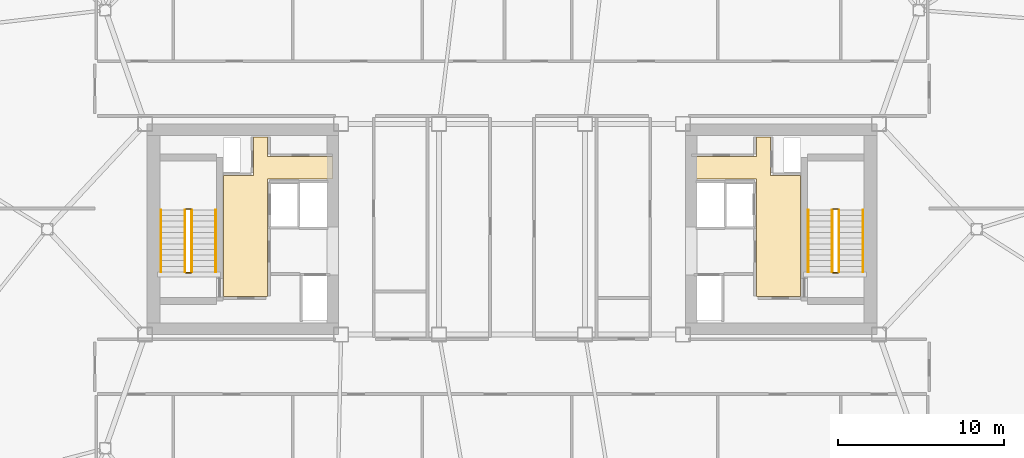
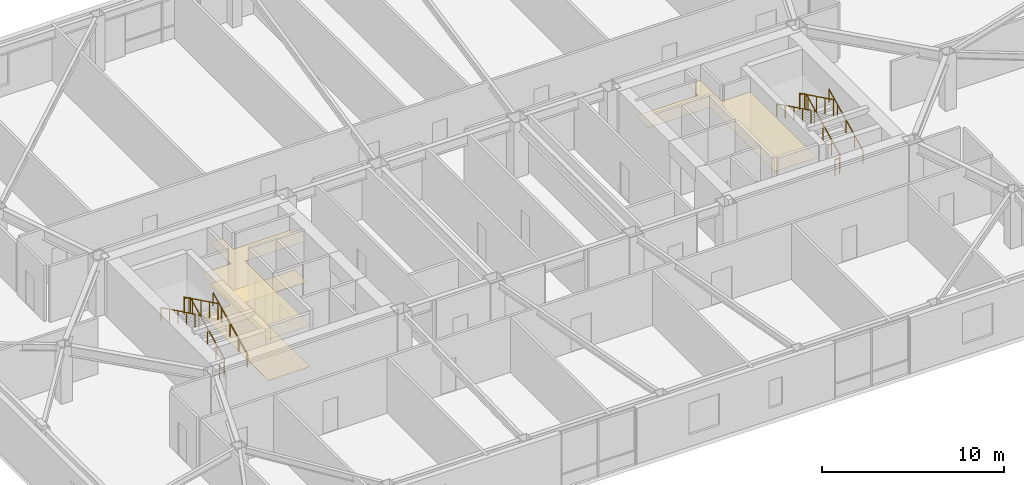
# One storey, part 18 of 18: 12 railings, 3 coverings.
"""IFC4 building model written with IfcOpenShell, lengths in metres."""

from ifc_helpers import new_model, si_unit, direction, frame, origin, origin_2d, place, context, subcontext, project, spatial, polyline, rectangle, outline, extrude, material, layer, layer_set, type_object, element, save


model = new_model("IFC4")

# Units and contexts
model_context = context("Model", 3, precision=1e-05, world=origin(), true_north=direction((0.0, 1.0)))
body_context = subcontext(model_context, "Body", "Model", "MODEL_VIEW")
ifc_project = project(units=[si_unit("LENGTHUNIT", "METRE"), si_unit("AREAUNIT", "SQUARE_METRE"), si_unit("VOLUMEUNIT", "CUBIC_METRE"), si_unit("PLANEANGLEUNIT", "RADIAN"), si_unit("MASSUNIT", "GRAM", prefix="KILO")], contexts=[model_context])

# Site, building, storey
site_placement = place(None, origin())
site = spatial("IfcSite", under=ifc_project, at=site_placement, CompositionType="ELEMENT")
building_placement = place(site_placement, origin())
building = spatial("IfcBuilding", under=site, at=building_placement, Name="Tavrogorsk Clinical Tower", CompositionType="ELEMENT")
storey_placement = place(building_placement, frame((0.0, 0.0, 192.199951171875)))
storey = spatial("IfcBuildingStorey", under=building, at=storey_placement, Name="L44", CompositionType="ELEMENT", Elevation=192.199951171875)

# Coverings
ifc_material_1 = material(Name="Antibacterial micro-perforated aluminium ceiling", Category="aluminium")
ifc_layer_1 = layer(ifc_material_1, 0.014892578125)
ifc_layer_set_1 = layer_set([ifc_layer_1], Name="Antibacterial micro-perforated aluminium ceiling")
covering_type_1 = type_object("IfcCoveringType", Name="ClinicalCeiling_15", PredefinedType="CEILING", material=ifc_layer_set_1)
covering_1_placement = place(storey_placement, frame((0.0, 0.0, 2.75)))
element("IfcCovering", 1, at=covering_1_placement, inside=storey, type_object=covering_type_1, Name="Core West Firefighting Lift Lobby Acoustic Ceiling", PredefinedType="CEILING", context=body_context, shape_type="SweptSolid", body=[
    extrude(outline(polyline([(-14.719970703125, 4.3798828125), (-10.800048828125, 4.3798828125), (-10.800048828125, 3.0400390625), (-14.719970703125, 3.0400390625), (-14.719970703125, -4.06005859375), (-17.3798828125, -4.06005859375), (-17.3798828125, 3.239990234375), (-15.56005859375, 3.239990234375), (-15.56005859375, 5.56005859375), (-14.719970703125, 5.56005859375), (-14.719970703125, 4.3798828125)])), origin(), (0.0, 0.0, 1.0), 0.01513671875),
])
covering_2_placement = place(storey_placement, frame((0.0, 0.0, 2.75)))
element("IfcCovering", 2, at=covering_2_placement, inside=storey, type_object=covering_type_1, Name="Core East Firefighting Lift Lobby Acoustic Ceiling", PredefinedType="CEILING", context=body_context, shape_type="SweptSolid", body=[
    extrude(outline(polyline([(14.719970703125, -4.06005859375), (14.719970703125, 3.0400390625), (10.800048828125, 3.0400390625), (10.800048828125, 4.3798828125), (14.719970703125, 4.3798828125), (14.719970703125, 5.56005859375), (15.56005859375, 5.56005859375), (15.56005859375, 3.239990234375), (17.3798828125, 3.239990234375), (17.3798828125, -4.06005859375), (14.719970703125, -4.06005859375)])), origin(), (0.0, 0.0, 1.0), 0.01513671875),
])
ifc_material_2 = material(Name="Homogeneous medical conductive PVC flooring")
ifc_layer_2 = layer(ifc_material_2, 0.008056640625)
ifc_layer_set_2 = layer_set([ifc_layer_2], Name="Homogeneous medical conductive PVC flooring")
covering_type_2 = type_object("IfcCoveringType", Name="ResilientVinylFloor_8", PredefinedType="FLOORING", material=ifc_layer_set_2)
covering_3_placement = place(storey_placement, origin())
element("IfcCovering", 3, at=covering_3_placement, inside=storey, type_object=covering_type_2, Name="Core West Firefighting Lift Lobby Conductive Vinyl Flooring", PredefinedType="FLOORING", context=body_context, shape_type="SweptSolid", body=[
    extrude(outline(polyline([(-14.719970703125, 4.3798828125), (-10.800048828125, 4.3798828125), (-10.800048828125, 3.0400390625), (-14.719970703125, 3.0400390625), (-14.719970703125, -4.06005859375), (-17.3798828125, -4.06005859375), (-17.3798828125, 3.239990234375), (-15.56005859375, 3.239990234375), (-15.56005859375, 5.56005859375), (-14.719970703125, 5.56005859375), (-14.719970703125, 4.3798828125)])), origin(), (0.0, 0.0, 1.0), 0.008056640625),
])

# Railings
ifc_material_3 = material(Name="Galvanised steel S355 safety stairwell guard", Category="steel")
ifc_layer_3 = layer(ifc_material_3, 0.06005859375)
ifc_layer_set_3 = layer_set([ifc_layer_3], Name="Galvanised steel S355 safety stairwell guard")
railing_type_1 = type_object("IfcRailingType", Name="StairGuard_1150", PredefinedType="GUARDRAIL", material=ifc_layer_set_3)
railing_1_placement = place(storey_placement, frame((-19.300048828125, -2.574951171875, 0.166748046875)))
element("IfcRailing", 4, at=railing_1_placement, inside=storey, type_object=railing_type_1, Name="L44 ST-W stair guard 1", PredefinedType="GUARDRAIL", context=body_context, shape_type="SweptSolid", body=[
    extrude(rectangle(XDim=0.048095703125, YDim=0.048095703125, at=origin_2d()), frame((0.0, 0.0, 1.076171875), z_axis=(0.0, 0.897927990467, 0.440142390523), x_axis=(-1.0, 0.0, 0.0)), (0.0, 0.0, 1.0), 4.1650390625),
    extrude(rectangle(XDim=0.0419921875, YDim=0.0419921875, at=origin_2d()), origin(), (0.0, 0.0, 1.0), 1.052001953125),
    extrude(rectangle(XDim=0.0419921875, YDim=0.0419921875, at=origin_2d()), frame((0.0, 0.93505859375, 0.458251953125)), (0.0, 0.0, 1.0), 1.052001953125),
    extrude(rectangle(XDim=0.0419921875, YDim=0.0419921875, at=origin_2d()), frame((0.0, 1.8701171875, 0.91650390625)), (0.0, 0.0, 1.0), 1.052001953125),
    extrude(rectangle(XDim=0.0419921875, YDim=0.0419921875, at=origin_2d()), frame((0.0, 2.804931640625, 1.375)), (0.0, 0.0, 1.0), 1.052001953125),
    extrude(rectangle(XDim=0.0419921875, YDim=0.0419921875, at=origin_2d()), frame((0.0, 3.739990234375, 1.833251953125)), (0.0, 0.0, 1.0), 1.052001953125),
])
railing_2_placement = place(storey_placement, frame((-19.35009765625, 1.215087890625, 2.0)))
element("IfcRailing", 5, at=railing_2_placement, inside=storey, type_object=railing_type_1, Name="L44 ST-W stair guard 2", PredefinedType="GUARDRAIL", context=body_context, shape_type="SweptSolid", body=[
    extrude(rectangle(XDim=0.048095703125, YDim=0.048095703125, at=origin_2d()), frame((0.0, 0.0, 1.076171875), z_axis=(-1.0, 0.0, 0.0), x_axis=(0.0, -1.0, 0.0)), (0.0, 0.0, 1.0), 0.2998046875),
    extrude(rectangle(XDim=0.0419921875, YDim=0.0419921875, at=origin_2d()), origin(), (0.0, 0.0, 1.0), 1.052001953125),
    extrude(rectangle(XDim=0.0419921875, YDim=0.0419921875, at=origin_2d()), frame((-0.2998046875, 0.0, 0.0)), (0.0, 0.0, 1.0), 1.052001953125),
])
railing_3_placement = place(storey_placement, frame((-19.699951171875, 1.1650390625, 2.166748046875)))
element("IfcRailing", 6, at=railing_3_placement, inside=storey, type_object=railing_type_1, Name="L44 ST-W stair guard 3", PredefinedType="GUARDRAIL", context=body_context, shape_type="SweptSolid", body=[
    extrude(rectangle(XDim=0.048095703125, YDim=0.048095703125, at=origin_2d()), frame((0.0, 0.0, 1.076171875), z_axis=(0.0, -0.897927990467, 0.440142390523), x_axis=(1.0, 0.0, 0.0)), (0.0, 0.0, 1.0), 4.1650390625),
    extrude(rectangle(XDim=0.0419921875, YDim=0.0419921875, at=origin_2d()), origin(), (0.0, 0.0, 1.0), 1.052001953125),
    extrude(rectangle(XDim=0.0419921875, YDim=0.0419921875, at=origin_2d()), frame((0.0, -0.93505859375, 0.458251953125)), (0.0, 0.0, 1.0), 1.052001953125),
    extrude(rectangle(XDim=0.0419921875, YDim=0.0419921875, at=origin_2d()), frame((0.0, -1.8701171875, 0.91650390625)), (0.0, 0.0, 1.0), 1.052001953125),
    extrude(rectangle(XDim=0.0419921875, YDim=0.0419921875, at=origin_2d()), frame((0.0, -2.804931640625, 1.375)), (0.0, 0.0, 1.0), 1.052001953125),
    extrude(rectangle(XDim=0.0419921875, YDim=0.0419921875, at=origin_2d()), frame((0.0, -3.739990234375, 1.833251953125)), (0.0, 0.0, 1.0), 1.052001953125),
])
railing_4_placement = place(storey_placement, frame((-19.35009765625, -2.625, 0.0)))
element("IfcRailing", 7, at=railing_4_placement, inside=storey, type_object=railing_type_1, Name="L44 ST-W stair guard 4", PredefinedType="GUARDRAIL", context=body_context, shape_type="SweptSolid", body=[
    extrude(rectangle(XDim=0.048095703125, YDim=0.048095703125, at=origin_2d()), frame((0.0, 0.0, 1.076171875), z_axis=(-1.0, 0.0, 0.0), x_axis=(0.0, -1.0, 0.0)), (0.0, 0.0, 1.0), 0.2998046875),
    extrude(rectangle(XDim=0.0419921875, YDim=0.0419921875, at=origin_2d()), origin(), (0.0, 0.0, 1.0), 1.052001953125),
    extrude(rectangle(XDim=0.0419921875, YDim=0.0419921875, at=origin_2d()), frame((-0.2998046875, 0.0, 0.0)), (0.0, 0.0, 1.0), 1.052001953125),
])
railing_5_placement = place(storey_placement, frame((19.699951171875, -2.574951171875, 0.166748046875)))
element("IfcRailing", 8, at=railing_5_placement, inside=storey, type_object=railing_type_1, Name="L44 ST-E stair guard 1", PredefinedType="GUARDRAIL", context=body_context, shape_type="SweptSolid", body=[
    extrude(rectangle(XDim=0.048095703125, YDim=0.048095703125, at=origin_2d()), frame((0.0, 0.0, 1.076171875), z_axis=(0.0, 0.897927990467, 0.440142390523), x_axis=(-1.0, 0.0, 0.0)), (0.0, 0.0, 1.0), 4.1650390625),
    extrude(rectangle(XDim=0.0419921875, YDim=0.0419921875, at=origin_2d()), origin(), (0.0, 0.0, 1.0), 1.052001953125),
    extrude(rectangle(XDim=0.0419921875, YDim=0.0419921875, at=origin_2d()), frame((0.0, 0.93505859375, 0.458251953125)), (0.0, 0.0, 1.0), 1.052001953125),
    extrude(rectangle(XDim=0.0419921875, YDim=0.0419921875, at=origin_2d()), frame((0.0, 1.8701171875, 0.91650390625)), (0.0, 0.0, 1.0), 1.052001953125),
    extrude(rectangle(XDim=0.0419921875, YDim=0.0419921875, at=origin_2d()), frame((0.0, 2.804931640625, 1.375)), (0.0, 0.0, 1.0), 1.052001953125),
    extrude(rectangle(XDim=0.0419921875, YDim=0.0419921875, at=origin_2d()), frame((0.0, 3.739990234375, 1.833251953125)), (0.0, 0.0, 1.0), 1.052001953125),
])
railing_6_placement = place(storey_placement, frame((19.64990234375, 1.215087890625, 2.0)))
element("IfcRailing", 9, at=railing_6_placement, inside=storey, type_object=railing_type_1, Name="L44 ST-E stair guard 2", PredefinedType="GUARDRAIL", context=body_context, shape_type="SweptSolid", body=[
    extrude(rectangle(XDim=0.048095703125, YDim=0.048095703125, at=origin_2d()), frame((0.0, 0.0, 1.076171875), z_axis=(-1.0, 0.0, 0.0), x_axis=(0.0, -1.0, 0.0)), (0.0, 0.0, 1.0), 0.2998046875),
    extrude(rectangle(XDim=0.0419921875, YDim=0.0419921875, at=origin_2d()), origin(), (0.0, 0.0, 1.0), 1.052001953125),
    extrude(rectangle(XDim=0.0419921875, YDim=0.0419921875, at=origin_2d()), frame((-0.2998046875, 0.0, 0.0)), (0.0, 0.0, 1.0), 1.052001953125),
])
railing_7_placement = place(storey_placement, frame((19.300048828125, 1.1650390625, 2.166748046875)))
element("IfcRailing", 10, at=railing_7_placement, inside=storey, type_object=railing_type_1, Name="L44 ST-E stair guard 3", PredefinedType="GUARDRAIL", context=body_context, shape_type="SweptSolid", body=[
    extrude(rectangle(XDim=0.048095703125, YDim=0.048095703125, at=origin_2d()), frame((0.0, 0.0, 1.076171875), z_axis=(0.0, -0.897927990467, 0.440142390523), x_axis=(1.0, 0.0, 0.0)), (0.0, 0.0, 1.0), 4.1650390625),
    extrude(rectangle(XDim=0.0419921875, YDim=0.0419921875, at=origin_2d()), origin(), (0.0, 0.0, 1.0), 1.052001953125),
    extrude(rectangle(XDim=0.0419921875, YDim=0.0419921875, at=origin_2d()), frame((0.0, -0.93505859375, 0.458251953125)), (0.0, 0.0, 1.0), 1.052001953125),
    extrude(rectangle(XDim=0.0419921875, YDim=0.0419921875, at=origin_2d()), frame((0.0, -1.8701171875, 0.91650390625)), (0.0, 0.0, 1.0), 1.052001953125),
    extrude(rectangle(XDim=0.0419921875, YDim=0.0419921875, at=origin_2d()), frame((0.0, -2.804931640625, 1.375)), (0.0, 0.0, 1.0), 1.052001953125),
    extrude(rectangle(XDim=0.0419921875, YDim=0.0419921875, at=origin_2d()), frame((0.0, -3.739990234375, 1.833251953125)), (0.0, 0.0, 1.0), 1.052001953125),
])
railing_8_placement = place(storey_placement, frame((19.64990234375, -2.625, 0.0)))
element("IfcRailing", 11, at=railing_8_placement, inside=storey, type_object=railing_type_1, Name="L44 ST-E stair guard 4", PredefinedType="GUARDRAIL", context=body_context, shape_type="SweptSolid", body=[
    extrude(rectangle(XDim=0.048095703125, YDim=0.048095703125, at=origin_2d()), frame((0.0, 0.0, 1.076171875), z_axis=(-1.0, 0.0, 0.0), x_axis=(0.0, -1.0, 0.0)), (0.0, 0.0, 1.0), 0.2998046875),
    extrude(rectangle(XDim=0.0419921875, YDim=0.0419921875, at=origin_2d()), origin(), (0.0, 0.0, 1.0), 1.052001953125),
    extrude(rectangle(XDim=0.0419921875, YDim=0.0419921875, at=origin_2d()), frame((-0.2998046875, 0.0, 0.0)), (0.0, 0.0, 1.0), 1.052001953125),
])
ifc_material_4 = material(Name="Stainless steel AISI 304 tubular handrail", Category="steel")
ifc_layer_4 = layer(ifc_material_4, 0.050048828125)
ifc_layer_set_4 = layer_set([ifc_layer_4], Name="Stainless steel AISI 304 tubular handrail")
railing_type_2 = type_object("IfcRailingType", Name="StairHandrail_920", PredefinedType="HANDRAIL", material=ifc_layer_set_4)
railing_9_placement = place(storey_placement, frame((-17.85009765625, -2.574951171875, 0.166748046875)))
element("IfcRailing", 12, at=railing_9_placement, inside=storey, type_object=railing_type_2, Name="L44 ST-W stair handrail 1", PredefinedType="HANDRAIL", context=body_context, shape_type="SweptSolid", body=[
    extrude(rectangle(XDim=0.048095703125, YDim=0.048095703125, at=origin_2d()), frame((0.0, 0.0, 0.8759765625), z_axis=(0.0, 0.897927990467, 0.440142390523), x_axis=(-1.0, 0.0, 0.0)), (0.0, 0.0, 1.0), 4.1650390625),
    extrude(rectangle(XDim=0.0419921875, YDim=0.0419921875, at=origin_2d()), origin(), (0.0, 0.0, 1.0), 0.851806640625),
    extrude(rectangle(XDim=0.0419921875, YDim=0.0419921875, at=origin_2d()), frame((0.0, 0.93505859375, 0.458251953125)), (0.0, 0.0, 1.0), 0.851806640625),
    extrude(rectangle(XDim=0.0419921875, YDim=0.0419921875, at=origin_2d()), frame((0.0, 1.8701171875, 0.91650390625)), (0.0, 0.0, 1.0), 0.851806640625),
    extrude(rectangle(XDim=0.0419921875, YDim=0.0419921875, at=origin_2d()), frame((0.0, 2.804931640625, 1.375)), (0.0, 0.0, 1.0), 0.851806640625),
    extrude(rectangle(XDim=0.0419921875, YDim=0.0419921875, at=origin_2d()), frame((0.0, 3.739990234375, 1.833251953125)), (0.0, 0.0, 1.0), 0.851806640625),
])
railing_10_placement = place(storey_placement, frame((-21.14990234375, 1.1650390625, 2.166748046875)))
element("IfcRailing", 13, at=railing_10_placement, inside=storey, type_object=railing_type_2, Name="L44 ST-W stair handrail 2", PredefinedType="HANDRAIL", context=body_context, shape_type="SweptSolid", body=[
    extrude(rectangle(XDim=0.048095703125, YDim=0.048095703125, at=origin_2d()), frame((0.0, 0.0, 0.8759765625), z_axis=(0.0, -0.897927990467, 0.440142390523), x_axis=(1.0, 0.0, 0.0)), (0.0, 0.0, 1.0), 4.1650390625),
    extrude(rectangle(XDim=0.0419921875, YDim=0.0419921875, at=origin_2d()), origin(), (0.0, 0.0, 1.0), 0.851806640625),
    extrude(rectangle(XDim=0.0419921875, YDim=0.0419921875, at=origin_2d()), frame((0.0, -0.93505859375, 0.458251953125)), (0.0, 0.0, 1.0), 0.851806640625),
    extrude(rectangle(XDim=0.0419921875, YDim=0.0419921875, at=origin_2d()), frame((0.0, -1.8701171875, 0.91650390625)), (0.0, 0.0, 1.0), 0.851806640625),
    extrude(rectangle(XDim=0.0419921875, YDim=0.0419921875, at=origin_2d()), frame((0.0, -2.804931640625, 1.375)), (0.0, 0.0, 1.0), 0.851806640625),
    extrude(rectangle(XDim=0.0419921875, YDim=0.0419921875, at=origin_2d()), frame((0.0, -3.739990234375, 1.833251953125)), (0.0, 0.0, 1.0), 0.851806640625),
])
railing_11_placement = place(storey_placement, frame((21.14990234375, -2.574951171875, 0.166748046875)))
element("IfcRailing", 14, at=railing_11_placement, inside=storey, type_object=railing_type_2, Name="L44 ST-E stair handrail 1", PredefinedType="HANDRAIL", context=body_context, shape_type="SweptSolid", body=[
    extrude(rectangle(XDim=0.048095703125, YDim=0.048095703125, at=origin_2d()), frame((0.0, 0.0, 0.8759765625), z_axis=(0.0, 0.897927990467, 0.440142390523), x_axis=(-1.0, 0.0, 0.0)), (0.0, 0.0, 1.0), 4.1650390625),
    extrude(rectangle(XDim=0.0419921875, YDim=0.0419921875, at=origin_2d()), origin(), (0.0, 0.0, 1.0), 0.851806640625),
    extrude(rectangle(XDim=0.0419921875, YDim=0.0419921875, at=origin_2d()), frame((0.0, 0.93505859375, 0.458251953125)), (0.0, 0.0, 1.0), 0.851806640625),
    extrude(rectangle(XDim=0.0419921875, YDim=0.0419921875, at=origin_2d()), frame((0.0, 1.8701171875, 0.91650390625)), (0.0, 0.0, 1.0), 0.851806640625),
    extrude(rectangle(XDim=0.0419921875, YDim=0.0419921875, at=origin_2d()), frame((0.0, 2.804931640625, 1.375)), (0.0, 0.0, 1.0), 0.851806640625),
    extrude(rectangle(XDim=0.0419921875, YDim=0.0419921875, at=origin_2d()), frame((0.0, 3.739990234375, 1.833251953125)), (0.0, 0.0, 1.0), 0.851806640625),
])
railing_12_placement = place(storey_placement, frame((17.85009765625, 1.1650390625, 2.166748046875)))
element("IfcRailing", 15, at=railing_12_placement, inside=storey, type_object=railing_type_2, Name="L44 ST-E stair handrail 2", PredefinedType="HANDRAIL", context=body_context, shape_type="SweptSolid", body=[
    extrude(rectangle(XDim=0.048095703125, YDim=0.048095703125, at=origin_2d()), frame((0.0, 0.0, 0.8759765625), z_axis=(0.0, -0.897927990467, 0.440142390523), x_axis=(1.0, 0.0, 0.0)), (0.0, 0.0, 1.0), 4.1650390625),
    extrude(rectangle(XDim=0.0419921875, YDim=0.0419921875, at=origin_2d()), origin(), (0.0, 0.0, 1.0), 0.851806640625),
    extrude(rectangle(XDim=0.0419921875, YDim=0.0419921875, at=origin_2d()), frame((0.0, -0.93505859375, 0.458251953125)), (0.0, 0.0, 1.0), 0.851806640625),
    extrude(rectangle(XDim=0.0419921875, YDim=0.0419921875, at=origin_2d()), frame((0.0, -1.8701171875, 0.91650390625)), (0.0, 0.0, 1.0), 0.851806640625),
    extrude(rectangle(XDim=0.0419921875, YDim=0.0419921875, at=origin_2d()), frame((0.0, -2.804931640625, 1.375)), (0.0, 0.0, 1.0), 0.851806640625),
    extrude(rectangle(XDim=0.0419921875, YDim=0.0419921875, at=origin_2d()), frame((0.0, -3.739990234375, 1.833251953125)), (0.0, 0.0, 1.0), 0.851806640625),
])

save(model, "model.ifc")
